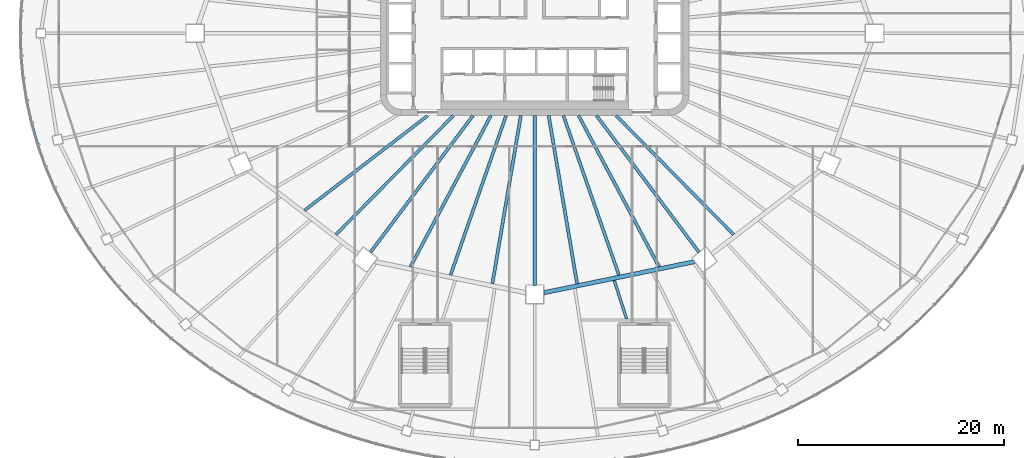
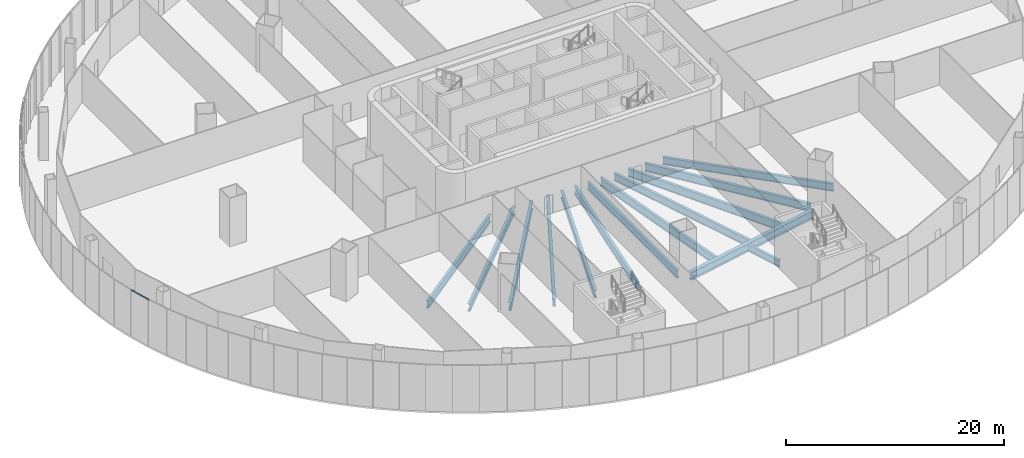
# One storey, part 5 of 42: 14 beams, 1 member, 1 element without a shape of its own.
"""IFC4 building model written with IfcOpenShell, lengths in metres."""

from ifc_helpers import new_model, si_unit, direction, frame, origin, origin_2d, place, context, subcontext, project, spatial, rectangle, i_section, extrude, material, layer, layer_set, material_profile, profile_set, type_object, element, aggregate, save


model = new_model("IFC4")

# Units and contexts
model_context = context("Model", 3, precision=1e-05, world=origin(), true_north=direction((0.0, 1.0)))
body_context = subcontext(model_context, "Body", "Model", "MODEL_VIEW")
ifc_project = project(units=[si_unit("LENGTHUNIT", "METRE"), si_unit("AREAUNIT", "SQUARE_METRE"), si_unit("VOLUMEUNIT", "CUBIC_METRE"), si_unit("PLANEANGLEUNIT", "RADIAN"), si_unit("MASSUNIT", "GRAM", prefix="KILO")], contexts=[model_context])

# Site, building, storey
site_placement = place(None, origin())
site = spatial("IfcSite", under=ifc_project, at=site_placement, CompositionType="ELEMENT")
building_placement = place(site_placement, origin())
building = spatial("IfcBuilding", under=site, at=building_placement, Name="Sahrelin Media Tower", CompositionType="ELEMENT")
storey_placement = place(building_placement, frame((0.0, 0.0, 26.0)))
storey = spatial("IfcBuildingStorey", under=building, at=storey_placement, Name="L03", CompositionType="ELEMENT", Elevation=26.0)

# Beams
ifc_material_1 = material(Name="Steel S355", Category="steel")
ifc_material_profile_1 = material_profile(ifc_material_1, i_section(OverallWidth=0.41845703125, OverallDepth=0.911865234375, WebThickness=0.019287109375, FlangeThickness=0.031982421875, FilletRadius=0.024169921875, at=origin_2d()), Name="UB 914x419x343")
ifc_profile_set_1 = profile_set([ifc_material_profile_1], Name="Steel S355")
beam_type_1 = type_object("IfcBeamType", Name="Podium ring girder PG12", PredefinedType="BEAM", material=ifc_profile_set_1)
beam_1_placement = place(storey_placement, frame((0.89990234375, -25.21435546875, -0.656005859375), z_axis=(0.979388513106, 0.201985495508, 0.0), x_axis=(-0.201985495508, 0.979388513106, 0.0)))
element("IfcBeam", 1, at=beam_1_placement, inside=storey, type_object=beam_type_1, Name="Podium girder L03-10", PredefinedType="BEAM", context=body_context, shape_type="SweptSolid", body=[
    extrude(i_section(OverallWidth=0.41845703125, OverallDepth=0.911865234375, WebThickness=0.019287109375, FlangeThickness=0.031982421875, FilletRadius=0.024169921875, at=origin_2d()), origin(), (0.0, 0.0, 1.0), 14.93359375),
])
ifc_material_profile_2 = material_profile(ifc_material_1, i_section(OverallWidth=0.291748046875, OverallDepth=0.8349609375, WebThickness=0.013916015625, FlangeThickness=0.018798828125, FilletRadius=0.017822265625, at=origin_2d()), Name="UB 838x292x176")
ifc_profile_set_2 = profile_set([ifc_material_profile_2], Name="Steel S355")
beam_type_2 = type_object("IfcBeamType", Name="Radial primary beam PB10", PredefinedType="BEAM", material=ifc_profile_set_2)
beam_2_placement = place(storey_placement, frame((-10.393798828125, -8.0, -0.617431640625), z_axis=(-0.79244196099, -0.609947324335, 0.0), x_axis=(0.609947324335, -0.79244196099, 0.0)))
element("IfcBeam", 2, at=beam_2_placement, inside=storey, type_object=beam_type_2, Name="Radial beam L03-16", PredefinedType="BEAM", context=body_context, shape_type="SweptSolid", body=[
    extrude(i_section(OverallWidth=0.291748046875, OverallDepth=0.8349609375, WebThickness=0.013916015625, FlangeThickness=0.018798828125, FilletRadius=0.017822265625, at=origin_2d()), origin(), (0.0, 0.0, 1.0), 15.1103515625),
])
beam_3_placement = place(storey_placement, frame((-2.784912109375, -8.0, -0.617431640625), z_axis=(-0.328776215552, -0.944407856854, 0.0), x_axis=(0.944407856854, -0.328776215552, 0.0)))
element("IfcBeam", 3, at=beam_3_placement, inside=storey, type_object=beam_type_2, Name="Radial beam L03-18", PredefinedType="BEAM", context=body_context, shape_type="SweptSolid", body=[
    extrude(i_section(OverallWidth=0.291748046875, OverallDepth=0.8349609375, WebThickness=0.013916015625, FlangeThickness=0.018798828125, FilletRadius=0.017822265625, at=origin_2d()), origin(), (0.0, 0.0, 1.0), 16.41162109375),
])
beam_4_placement = place(storey_placement, frame((0.0, -8.0, -0.617431640625), z_axis=(0.0, -1.0, 0.0), x_axis=(1.0, 0.0, 0.0)))
element("IfcBeam", 4, at=beam_4_placement, inside=storey, type_object=beam_type_2, Name="Radial beam L03-19", PredefinedType="BEAM", context=body_context, shape_type="SweptSolid", body=[
    extrude(i_section(OverallWidth=0.291748046875, OverallDepth=0.8349609375, WebThickness=0.013916015625, FlangeThickness=0.018798828125, FilletRadius=0.017822265625, at=origin_2d()), origin(), (0.0, 0.0, 1.0), 16.5),
])
beam_5_placement = place(storey_placement, frame((2.784912109375, -8.0, -0.617431640625), z_axis=(0.328776215552, -0.944407856854, 0.0), x_axis=(0.944407856854, 0.328776215552, 0.0)))
element("IfcBeam", 5, at=beam_5_placement, inside=storey, type_object=beam_type_2, Name="Radial beam L03-20", PredefinedType="BEAM", context=body_context, shape_type="SweptSolid", body=[
    extrude(i_section(OverallWidth=0.291748046875, OverallDepth=0.8349609375, WebThickness=0.013916015625, FlangeThickness=0.018798828125, FilletRadius=0.017822265625, at=origin_2d()), origin(), (0.0, 0.0, 1.0), 16.41162109375),
])
ifc_material_profile_3 = material_profile(ifc_material_1, i_section(OverallWidth=0.30322265625, OverallDepth=0.903076171875, WebThickness=0.01513671875, FlangeThickness=0.020263671875, FilletRadius=0.01904296875, at=origin_2d()), Name="UB 914x305x201")
ifc_profile_set_3 = profile_set([ifc_material_profile_3], Name="Steel S355")
beam_type_3 = type_object("IfcBeamType", Name="Radial primary beam PB11", PredefinedType="BEAM", material=ifc_profile_set_3)
for number, where, z_axis, x_axis, name in (
    (6, (-6.000732421875, -8.0, -0.651611328125), (-0.600054130443, -0.799959399306, 0.0), (0.799959399306, -0.600054130443, 0.0), "Radial beam L03-17"),
    (7, (6.000732421875, -8.0, -0.651611328125), (0.600054130443, -0.799959399306, 0.0), (0.799959399306, 0.600054130443, 0.0), "Radial beam L03-21"),
):
    element("IfcBeam", number, at=place(storey_placement, frame(where, z_axis=z_axis, x_axis=x_axis)), inside=storey, type_object=beam_type_3, Name=name, PredefinedType="BEAM", context=body_context, shape_type="SweptSolid", body=[
        extrude(i_section(OverallWidth=0.30322265625, OverallDepth=0.903076171875, WebThickness=0.01513671875, FlangeThickness=0.020263671875, FilletRadius=0.01904296875, at=origin_2d()), origin(), (0.0, 0.0, 1.0), 16.59716796875),
    ])
ifc_material_profile_4 = material_profile(ifc_material_1, i_section(OverallWidth=0.26513671875, OverallDepth=0.75390625, WebThickness=0.0126953125, FlangeThickness=0.017578125, FilletRadius=0.0166015625, at=origin_2d()), Name="UB 762x267x147")
ifc_profile_set_4 = profile_set([ifc_material_profile_4], Name="Steel S355")
beam_type_4 = type_object("IfcBeamType", Name="Radial primary beam PB9", PredefinedType="BEAM", material=ifc_profile_set_4)
beam_6_placement = place(storey_placement, frame((7.7236328125, -24.020751953125, -0.576904296875), z_axis=(0.30607575523, -0.952007159669, 0.0), x_axis=(0.952007159669, 0.30607575523, 0.0)))
element("IfcBeam", 8, at=beam_6_placement, inside=storey, type_object=beam_type_4, Name="Radial beam L03-23", PredefinedType="BEAM", context=body_context, shape_type="SweptSolid", body=[
    extrude(i_section(OverallWidth=0.26513671875, OverallDepth=0.75390625, WebThickness=0.0126953125, FlangeThickness=0.017578125, FilletRadius=0.0166015625, at=origin_2d()), origin(), (0.0, 0.0, 1.0), 3.917236328125),
])
ifc_material_profile_5 = material_profile(ifc_material_1, i_section(OverallWidth=0.291748046875, OverallDepth=0.8349609375, WebThickness=0.013916015625, FlangeThickness=0.018798828125, FilletRadius=0.017822265625, at=origin_2d()), Name="UB 838x292x176")
ifc_profile_set_5 = profile_set([ifc_material_profile_5], Name="Steel S355")
beam_type_5 = type_object("IfcBeamType", Name="Radial secondary beam SB10", PredefinedType="BEAM", material=ifc_profile_set_5)
for number, where, z_axis, x_axis, name in (
    (9, (-7.901123046875, -8.0, -0.617431640625), (-0.702706329063, -0.711480017355, 0.0), (0.711480017355, -0.702706329063, 0.0), "Secondary beam L03-16"),
    (10, (7.901123046875, -8.0, -0.617431640625), (0.702706329063, -0.711480017355, 0.0), (0.711480017355, 0.702706329063, 0.0), "Secondary beam L03-21"),
):
    element("IfcBeam", number, at=place(storey_placement, frame(where, z_axis=z_axis, x_axis=x_axis)), inside=storey, type_object=beam_type_5, Name=name, PredefinedType="BEAM", context=body_context, shape_type="SweptSolid", body=[
        extrude(i_section(OverallWidth=0.291748046875, OverallDepth=0.8349609375, WebThickness=0.013916015625, FlangeThickness=0.018798828125, FilletRadius=0.017822265625, at=origin_2d()), origin(), (0.0, 0.0, 1.0), 16.250732421875),
    ])
ifc_material_profile_6 = material_profile(ifc_material_1, i_section(OverallWidth=0.30322265625, OverallDepth=0.903076171875, WebThickness=0.01513671875, FlangeThickness=0.020263671875, FilletRadius=0.01904296875, at=origin_2d()), Name="UB 914x305x201")
ifc_profile_set_6 = profile_set([ifc_material_profile_6], Name="Steel S355")
beam_type_6 = type_object("IfcBeamType", Name="Radial secondary beam SB11", PredefinedType="BEAM", material=ifc_profile_set_6)
beam_7_placement = place(storey_placement, frame((-4.259765625, -8.0, -0.651611328125), z_axis=(-0.469997453325, -0.882667770947, 0.0), x_axis=(0.882667770947, -0.469997453325, 0.0)))
element("IfcBeam", 11, at=beam_7_placement, inside=storey, type_object=beam_type_6, Name="Secondary beam L03-17", PredefinedType="BEAM", context=body_context, shape_type="SweptSolid", body=[
    extrude(i_section(OverallWidth=0.30322265625, OverallDepth=0.903076171875, WebThickness=0.01513671875, FlangeThickness=0.020263671875, FilletRadius=0.01904296875, at=origin_2d()), origin(), (0.0, 0.0, 1.0), 16.6474609375),
])
for number, where, z_axis, x_axis, name in (
    (12, (-1.352783203125, -8.0, -0.651611328125), (-0.166704262426, -0.986006941603, 0.0), (0.986006941603, -0.166704262426, 0.0), "Secondary beam L03-18"),
    (13, (1.352783203125, -8.0, -0.651611328125), (0.166704262426, -0.986006941603, 0.0), (0.986006941603, 0.166704262426, 0.0), "Secondary beam L03-19"),
):
    element("IfcBeam", number, at=place(storey_placement, frame(where, z_axis=z_axis, x_axis=x_axis)), inside=storey, type_object=beam_type_6, Name=name, PredefinedType="BEAM", context=body_context, shape_type="SweptSolid", body=[
        extrude(i_section(OverallWidth=0.30322265625, OverallDepth=0.903076171875, WebThickness=0.01513671875, FlangeThickness=0.020263671875, FilletRadius=0.01904296875, at=origin_2d()), origin(), (0.0, 0.0, 1.0), 16.569580078125),
    ])
beam_8_placement = place(storey_placement, frame((4.259765625, -8.0, -0.651611328125), z_axis=(0.469997453325, -0.882667770947, 0.0), x_axis=(0.882667770947, 0.469997453325, 0.0)))
element("IfcBeam", 14, at=beam_8_placement, inside=storey, type_object=beam_type_6, Name="Secondary beam L03-20", PredefinedType="BEAM", context=body_context, shape_type="SweptSolid", body=[
    extrude(i_section(OverallWidth=0.30322265625, OverallDepth=0.903076171875, WebThickness=0.01513671875, FlangeThickness=0.020263671875, FilletRadius=0.01904296875, at=origin_2d()), origin(), (0.0, 0.0, 1.0), 16.6474609375),
])

# Curtain wall, member
ifc_material_2 = material(Name="Champagne anodised aluminium 6063-T6", Category="aluminium")
ifc_layer = layer(ifc_material_2, 0.14990234375)
ifc_layer_set = layer_set([ifc_layer], Name="Podium ribbon curtain wall")
curtain_wall_type = type_object("IfcCurtainWallType", Name="Podium ribbon curtain wall", PredefinedType="NOTDEFINED", material=ifc_layer_set)
curtain_wall_placement = place(storey_placement, frame((-50.0, 0.0, 0.0), z_axis=(0.0, 0.0, 1.0), x_axis=(1.0, 0.0, 0.0)))
curtain_wall = element("IfcCurtainWall", 15, at=curtain_wall_placement, inside=storey, type_object=curtain_wall_type, Name="L03:CW:L03-P12", PredefinedType="NOTDEFINED")
ifc_material_profile_7 = material_profile(ifc_material_2, rectangle(XDim=0.06005859375, YDim=0.14990234375, at=origin_2d()), Name="Transom 60x150")
ifc_profile_set_7 = profile_set([ifc_material_profile_7], Name="Champagne anodised aluminium 6063-T6")
member_type = type_object("IfcMemberType", Name="Transom 60x150 CW5", PredefinedType="USERDEFINED", material=ifc_profile_set_7)
member_placement = place(storey_placement, frame((-48.845703125, -8.7666015625, 5.125), z_axis=(0.274824960972, -0.961494274984, 0.0), x_axis=(0.961494274984, 0.274824960972, 0.0)))
member = element("IfcMember", 16, at=member_placement, type_object=member_type, Name="L03:CWT5a:L03-P12", ObjectType="TRANSOM", PredefinedType="USERDEFINED", context=body_context, shape_type="SweptSolid", body=[
    extrude(rectangle(XDim=0.06005859375, YDim=0.14990234375, at=origin_2d()), origin(), (0.0, 0.0, 1.0), 2.173828125),
])
aggregate(curtain_wall, [member])

save(model, "model.ifc")
